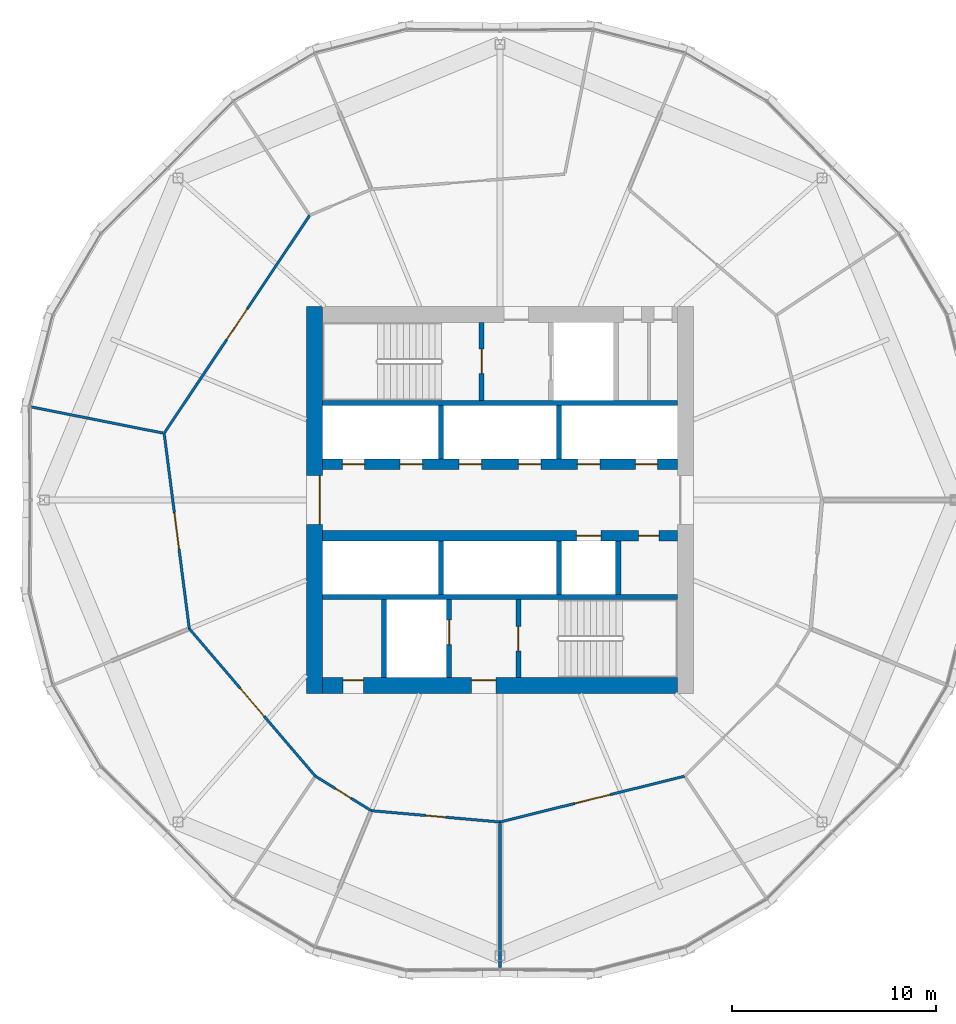
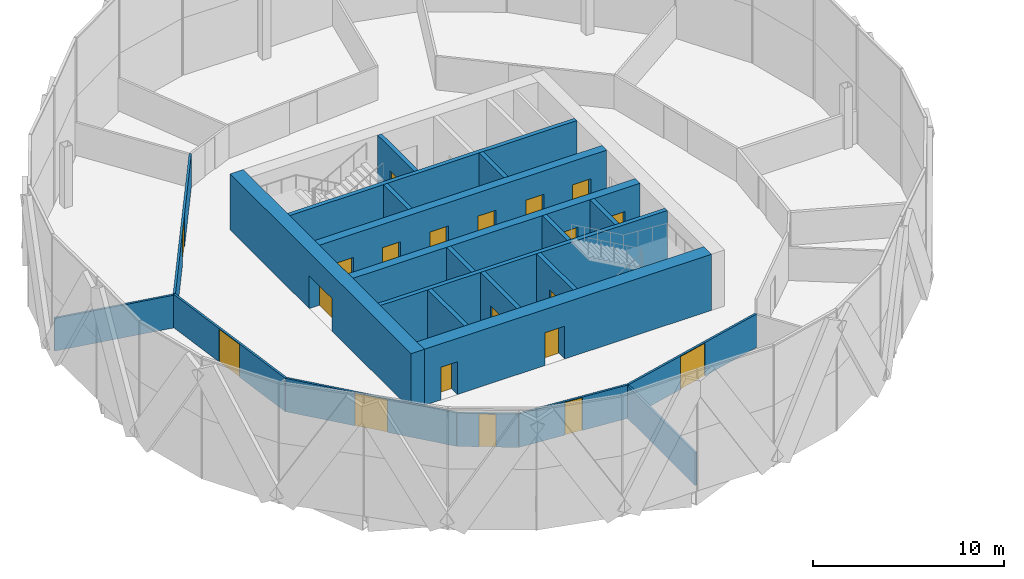
# One storey, part 19 of 27: 23 walls, 20 doors, 20 openings.
"""IFC4 building model written with IfcOpenShell, lengths in metres."""

from ifc_helpers import new_model, si_unit, direction, frame, frame_2d, origin, place, context, subcontext, project, spatial, rectangle, extrude, material, layer, layer_set, type_object, element, fill, save


model = new_model("IFC4")

# Units and contexts
model_context = context("Model", 3, precision=1e-05, world=origin(), true_north=direction((0.0, 1.0)))
body_context = subcontext(model_context, "Body", "Model", "MODEL_VIEW")
ifc_project = project(units=[si_unit("LENGTHUNIT", "METRE"), si_unit("AREAUNIT", "SQUARE_METRE"), si_unit("VOLUMEUNIT", "CUBIC_METRE"), si_unit("PLANEANGLEUNIT", "RADIAN"), si_unit("MASSUNIT", "GRAM", prefix="KILO")], contexts=[model_context])

# Site, building, storey
site_placement = place(None, origin())
site = spatial("IfcSite", under=ifc_project, at=site_placement, CompositionType="ELEMENT")
building_placement = place(site_placement, origin())
building = spatial("IfcBuilding", under=site, at=building_placement, Name="Ogive Gate Towers", CompositionType="ELEMENT")
storey_placement = place(building_placement, frame((0.0, 0.0, 123.0)))
storey = spatial("IfcBuildingStorey", under=building, at=storey_placement, Name="L29", CompositionType="ELEMENT", Elevation=123.0)

# Wall, openings, doors
ifc_material_1 = material(Name="Concrete C60/75", Category="concrete")
ifc_layer_1 = layer(ifc_material_1, 0.800048828125)
ifc_layer_set_1 = layer_set([ifc_layer_1], Name="Core wall 800 mm")
wall_type_1 = type_object("IfcWallType", Name="Core wall 800 mm", PredefinedType="SHEAR", material=ifc_layer_set_1)
wall_1_placement = place(storey_placement, frame((-44.699951171875, -9.10009765625, 0.0), z_axis=(0.0, 0.0, 1.0), x_axis=(1.0, 0.0, 0.0)))
wall_1 = element("IfcWall", 1, at=wall_1_placement, inside=storey, type_object=wall_type_1, Name="T1 L29 Core wall 800 mm", PredefinedType="SHEAR", context=body_context, shape_type="SweptSolid", body=[
    extrude(rectangle(XDim=17.39990234375, YDim=0.800048828125, at=frame_2d((8.699951171875, 0.0))), origin(), (0.0, 0.0, 1.0), 3.60009765625),
])
opening_1_placement = place(wall_1_placement, frame((7.300048828125, 0.0, 0.0)))
opening_1 = element("IfcOpeningElement", 2, at=opening_1_placement, cuts=wall_1, Name="Opening KD-T1-L29-16", PredefinedType="OPENING", context=body_context, shape_type="SweptSolid", body=[
    extrude(rectangle(XDim=1.199951171875, YDim=2.10009765625, at=frame_2d((0.60009765625, 1.050048828125))), frame((0.0, 0.41015625, 0.0), z_axis=(0.0, -1.0, 0.0), x_axis=(1.0, 0.0, 0.0)), (0.0, 0.0, 1.0), 0.820068359375),
])
opening_2_placement = place(wall_1_placement, frame((1.0, 0.0, 0.0)))
opening_2 = element("IfcOpeningElement", 3, at=opening_2_placement, cuts=wall_1, Name="Opening KD-T1-L29-19", PredefinedType="OPENING", context=body_context, shape_type="SweptSolid", body=[
    extrude(rectangle(XDim=1.0, YDim=2.10009765625, at=frame_2d((0.5, 1.050048828125))), frame((0.0, 0.41015625, 0.0), z_axis=(0.0, -1.0, 0.0), x_axis=(1.0, 0.0, 0.0)), (0.0, 0.0, 1.0), 0.820068359375),
])
ifc_material_2 = material(Name="Timber door", Category="wood")
door_type_1 = type_object("IfcDoorType", Name="Accessible WC door 1000 x 2100", OperationType="NOTDEFINED", PredefinedType="DOOR", material=ifc_material_2)
door_1_placement = place(opening_2_placement, origin())
door_1 = element("IfcDoor", 4, at=door_1_placement, inside=storey, type_object=door_type_1, Name="T1 L29 Core door", OperationType="SINGLE_SWING_RIGHT", OverallHeight=2.10009765625, OverallWidth=1.0, PredefinedType="DOOR", context=body_context, shape_type="SweptSolid", body=[
    extrude(rectangle(XDim=1.0, YDim=2.10009765625, at=frame_2d((0.5, 1.050048828125))), frame((0.0, 0.27490234375, 0.0), z_axis=(0.0, -1.0, 0.0), x_axis=(1.0, 0.0, 0.0)), (0.0, 0.0, 1.0), 0.050048828125),
])
fill(opening_2, door_1)
ifc_material_3 = material(Name="Steel fire door", Category="steel")
door_type_2 = type_object("IfcDoorType", Name="Core door FD60S 1200 x 2100", OperationType="NOTDEFINED", PredefinedType="DOOR", material=ifc_material_3)
door_2_placement = place(opening_1_placement, origin())
door_2 = element("IfcDoor", 5, at=door_2_placement, inside=storey, type_object=door_type_2, Name="T1 L29 Fire-fighting lobby door", OperationType="SINGLE_SWING_LEFT", OverallHeight=2.10009765625, OverallWidth=1.199951171875, PredefinedType="DOOR", context=body_context, shape_type="SweptSolid", body=[
    extrude(rectangle(XDim=1.199951171875, YDim=2.10009765625, at=frame_2d((0.60009765625, 1.050048828125))), frame((0.0, 0.27490234375, 0.0), z_axis=(0.0, -1.0, 0.0), x_axis=(1.0, 0.0, 0.0)), (0.0, 0.0, 1.0), 0.050048828125),
])
fill(opening_1, door_2)

# Wall, opening, door
wall_2_placement = place(storey_placement, frame((-45.10009765625, -9.5, 0.0), z_axis=(0.0, 0.0, 1.0), x_axis=(0.0, 1.0, 0.0)))
wall_2 = element("IfcWall", 6, at=wall_2_placement, inside=storey, type_object=wall_type_1, Name="T1 L29 Core wall 800 mm", PredefinedType="SHEAR", context=body_context, shape_type="SweptSolid", body=[
    extrude(rectangle(XDim=19.0, YDim=0.800048828125, at=frame_2d((9.5, 0.0))), origin(), (0.0, 0.0, 1.0), 3.60009765625),
])
opening_3_placement = place(wall_2_placement, frame((8.300048828125, 0.0, 0.0)))
opening_3 = element("IfcOpeningElement", 7, at=opening_3_placement, cuts=wall_2, Name="Opening KD-T1-L29-01", PredefinedType="OPENING", context=body_context, shape_type="SweptSolid", body=[
    extrude(rectangle(XDim=2.39990234375, YDim=2.10009765625, at=frame_2d((1.199951171875, 1.050048828125))), frame((0.0, 0.41015625, 0.0), z_axis=(0.0, -1.0, 0.0), x_axis=(1.0, 0.0, 0.0)), (0.0, 0.0, 1.0), 0.820068359375),
])
door_type_3 = type_object("IfcDoorType", Name="Core double door FD60S 2400 x 2100", OperationType="DOUBLE_DOOR_SINGLE_SWING", PredefinedType="DOOR", material=ifc_material_3)
door_3_placement = place(opening_3_placement, origin())
door_3 = element("IfcDoor", 8, at=door_3_placement, inside=storey, type_object=door_type_3, Name="T1 L29 Core door double", OperationType="DOUBLE_DOOR_SINGLE_SWING", OverallHeight=2.10009765625, OverallWidth=2.39990234375, PredefinedType="DOOR", context=body_context, shape_type="SweptSolid", body=[
    extrude(rectangle(XDim=2.39990234375, YDim=2.10009765625, at=frame_2d((1.199951171875, 1.050048828125))), frame((0.0, -0.22509765625, 0.0), z_axis=(0.0, -1.0, 0.0), x_axis=(1.0, 0.0, 0.0)), (0.0, 0.0, 1.0), 0.050048828125),
])
fill(opening_3, door_3)

# Walls
ifc_material_4 = material(Name="Gypsum board partition")
ifc_layer_2 = layer(ifc_material_4, 0.125)
ifc_layer_set_2 = layer_set([ifc_layer_2], Name="Partition 125")
wall_type_2 = type_object("IfcWallType", Name="Partition 125", PredefinedType="PARTITIONING", material=ifc_layer_set_2)
wall_3_placement = place(storey_placement, frame((-59.00048828125, 4.5673828125, 0.0), z_axis=(0.0, 0.0, 1.0), x_axis=(0.980844954996, -0.194790077416, 0.0)))
element("IfcWall", 9, at=wall_3_placement, inside=storey, type_object=wall_type_2, Name="Partition T1-L29-007", PredefinedType="PARTITIONING", context=body_context, shape_type="SweptSolid", body=[
    extrude(rectangle(XDim=6.58642578125, YDim=0.125, at=frame_2d((3.293212890625, 0.0))), origin(), (0.0, 0.0, 1.0), 2.10009765625),
])
wall_4_placement = place(storey_placement, frame((-36.0, -22.948974609375, 0.0), z_axis=(0.0, 0.0, 1.0), x_axis=(0.0, 1.0, 0.0)))
element("IfcWall", 10, at=wall_4_placement, inside=storey, type_object=wall_type_2, Name="Partition T1-L29-011", PredefinedType="PARTITIONING", context=body_context, shape_type="SweptSolid", body=[
    extrude(rectangle(XDim=7.08642578125, YDim=0.125, at=frame_2d((3.543212890625, 0.0))), origin(), (0.0, 0.0, 1.0), 2.10009765625),
])

# Wall, opening, door
wall_5_placement = place(storey_placement, frame((-45.33837890625, 13.966064453125, 0.0), z_axis=(0.0, 0.0, 1.0), x_axis=(-0.555313451399, -0.831641130955, 0.0)))
wall_5 = element("IfcWall", 11, at=wall_5_placement, inside=storey, type_object=wall_type_2, Name="Partition T1-L29-017", PredefinedType="PARTITIONING", context=body_context, shape_type="SweptSolid", body=[
    extrude(rectangle(XDim=12.858642578125, YDim=0.125, at=frame_2d((6.42919921875, 0.0))), origin(), (0.0, 0.0, 1.0), 2.139892578125),
])
opening_4_placement = place(wall_5_placement, frame((5.529052734375, 0.0, 0.0)))
opening_4 = element("IfcOpeningElement", 12, at=opening_4_placement, cuts=wall_5, Name="Opening T1-L29-D03", PredefinedType="OPENING", context=body_context, shape_type="SweptSolid", body=[
    extrude(rectangle(XDim=1.800048828125, YDim=2.10009765625, at=frame_2d((0.89990234375, 1.050048828125))), frame((0.0, 0.072509765625, 0.0), z_axis=(0.0, -1.0, 0.0), x_axis=(1.0, 0.0, 0.0)), (0.0, 0.0, 1.0), 0.14501953125),
])
door_type_4 = type_object("IfcDoorType", Name="Door pair 1800", OperationType="NOTDEFINED", PredefinedType="DOOR", material=ifc_material_2)
door_4_placement = place(opening_4_placement, origin())
door_4 = element("IfcDoor", 13, at=door_4_placement, inside=storey, type_object=door_type_4, Name="Door T1-L29-D03", OperationType="DOUBLE_DOOR_DOUBLE_SWING", OverallHeight=2.10009765625, OverallWidth=1.800048828125, PredefinedType="DOOR", context=body_context, shape_type="SweptSolid", body=[
    extrude(rectangle(XDim=1.800048828125, YDim=2.10009765625, at=frame_2d((0.89990234375, 1.050048828125))), frame((0.0, 0.02490234375, 0.0), z_axis=(0.0, -1.0, 0.0), x_axis=(1.0, 0.0, 0.0)), (0.0, 0.0, 1.0), 0.050048828125),
])
fill(opening_4, door_4)

wall_6_placement = place(storey_placement, frame((-52.47900390625, 3.272216796875, 0.0), z_axis=(0.0, 0.0, 1.0), x_axis=(0.127652365424, -0.991818972193, 0.0)))
wall_6 = element("IfcWall", 14, at=wall_6_placement, inside=storey, type_object=wall_type_2, Name="Partition T1-L29-018", PredefinedType="PARTITIONING", context=body_context, shape_type="SweptSolid", body=[
    extrude(rectangle(XDim=9.666015625, YDim=0.125, at=frame_2d((4.8330078125, 0.0))), origin(), (0.0, 0.0, 1.0), 2.139892578125),
])
opening_5_placement = place(wall_6_placement, frame((3.93310546875, 0.0, 0.0)))
opening_5 = element("IfcOpeningElement", 15, at=opening_5_placement, cuts=wall_6, Name="Opening T1-L29-D04", PredefinedType="OPENING", context=body_context, shape_type="SweptSolid", body=[
    extrude(rectangle(XDim=1.800048828125, YDim=2.10009765625, at=frame_2d((0.89990234375, 1.050048828125))), frame((0.0, 0.072509765625, 0.0), z_axis=(0.0, -1.0, 0.0), x_axis=(1.0, 0.0, 0.0)), (0.0, 0.0, 1.0), 0.14501953125),
])
door_5_placement = place(opening_5_placement, origin())
door_5 = element("IfcDoor", 16, at=door_5_placement, inside=storey, type_object=door_type_4, Name="Door T1-L29-D04", OperationType="DOUBLE_DOOR_DOUBLE_SWING", OverallHeight=2.10009765625, OverallWidth=1.800048828125, PredefinedType="DOOR", context=body_context, shape_type="SweptSolid", body=[
    extrude(rectangle(XDim=1.800048828125, YDim=2.10009765625, at=frame_2d((0.89990234375, 1.050048828125))), frame((0.0, 0.02490234375, 0.0), z_axis=(0.0, -1.0, 0.0), x_axis=(1.0, 0.0, 0.0)), (0.0, 0.0, 1.0), 0.050048828125),
])
fill(opening_5, door_5)

wall_7_placement = place(storey_placement, frame((-51.2451171875, -6.314697265625, 0.0), z_axis=(0.0, 0.0, 1.0), x_axis=(0.649726172802, -0.760168336867, 0.0)))
wall_7 = element("IfcWall", 17, at=wall_7_placement, inside=storey, type_object=wall_type_2, Name="Partition T1-L29-019", PredefinedType="PARTITIONING", context=body_context, shape_type="SweptSolid", body=[
    extrude(rectangle(XDim=9.518798828125, YDim=0.125, at=frame_2d((4.75927734375, 0.0))), origin(), (0.0, 0.0, 1.0), 2.139892578125),
])
opening_6_placement = place(wall_7_placement, frame((3.85888671875, 0.0, 0.0)))
opening_6 = element("IfcOpeningElement", 18, at=opening_6_placement, cuts=wall_7, Name="Opening T1-L29-D05", PredefinedType="OPENING", context=body_context, shape_type="SweptSolid", body=[
    extrude(rectangle(XDim=1.800048828125, YDim=2.10009765625, at=frame_2d((0.89990234375, 1.050048828125))), frame((0.0, 0.072509765625, 0.0), z_axis=(0.0, -1.0, 0.0), x_axis=(1.0, 0.0, 0.0)), (0.0, 0.0, 1.0), 0.14501953125),
])
door_6_placement = place(opening_6_placement, origin())
door_6 = element("IfcDoor", 19, at=door_6_placement, inside=storey, type_object=door_type_4, Name="Door T1-L29-D05", OperationType="DOUBLE_DOOR_DOUBLE_SWING", OverallHeight=2.10009765625, OverallWidth=1.800048828125, PredefinedType="DOOR", context=body_context, shape_type="SweptSolid", body=[
    extrude(rectangle(XDim=1.800048828125, YDim=2.10009765625, at=frame_2d((0.89990234375, 1.050048828125))), frame((0.0, 0.02490234375, 0.0), z_axis=(0.0, -1.0, 0.0), x_axis=(1.0, 0.0, 0.0)), (0.0, 0.0, 1.0), 0.050048828125),
])
fill(opening_6, door_6)

wall_8_placement = place(storey_placement, frame((-45.060546875, -13.550537109375, 0.0), z_axis=(0.0, 0.0, 1.0), x_axis=(0.850989966288, -0.525181946831, 0.0)))
wall_8 = element("IfcWall", 20, at=wall_8_placement, inside=storey, type_object=wall_type_2, Name="Partition T1-L29-020", PredefinedType="PARTITIONING", context=body_context, shape_type="SweptSolid", body=[
    extrude(rectangle(XDim=3.2265625, YDim=0.125, at=frame_2d((1.61328125, 0.0))), origin(), (0.0, 0.0, 1.0), 2.139892578125),
])
opening_7_placement = place(wall_8_placement, frame((1.1630859375, 0.0, 0.0)))
opening_7 = element("IfcOpeningElement", 21, at=opening_7_placement, cuts=wall_8, Name="Opening T1-L29-D06", PredefinedType="OPENING", context=body_context, shape_type="SweptSolid", body=[
    extrude(rectangle(XDim=0.89990234375, YDim=2.10009765625, at=frame_2d((0.449951171875, 1.050048828125))), frame((0.0, 0.072509765625, 0.0), z_axis=(0.0, -1.0, 0.0), x_axis=(1.0, 0.0, 0.0)), (0.0, 0.0, 1.0), 0.14501953125),
])
door_type_5 = type_object("IfcDoorType", Name="Door 900", OperationType="NOTDEFINED", PredefinedType="DOOR", material=ifc_material_2)
door_7_placement = place(opening_7_placement, origin())
door_7 = element("IfcDoor", 22, at=door_7_placement, inside=storey, type_object=door_type_5, Name="Door T1-L29-D06", OperationType="SINGLE_SWING_LEFT", OverallHeight=2.10009765625, OverallWidth=0.89990234375, PredefinedType="DOOR", context=body_context, shape_type="SweptSolid", body=[
    extrude(rectangle(XDim=0.89990234375, YDim=2.10009765625, at=frame_2d((0.449951171875, 1.050048828125))), frame((0.0, 0.02490234375, 0.0), z_axis=(0.0, -1.0, 0.0), x_axis=(1.0, 0.0, 0.0)), (0.0, 0.0, 1.0), 0.050048828125),
])
fill(opening_7, door_7)

wall_9_placement = place(storey_placement, frame((-42.314697265625, -15.2451171875, 0.0), z_axis=(0.0, 0.0, 1.0), x_axis=(0.996160830395, -0.087541989851, 0.0)))
wall_9 = element("IfcWall", 23, at=wall_9_placement, inside=storey, type_object=wall_type_2, Name="Partition T1-L29-021", PredefinedType="PARTITIONING", context=body_context, shape_type="SweptSolid", body=[
    extrude(rectangle(XDim=6.339111328125, YDim=0.125, at=frame_2d((3.16943359375, 0.0))), origin(), (0.0, 0.0, 1.0), 2.139892578125),
])
opening_8_placement = place(wall_9_placement, frame((2.6689453125, 0.0, 0.0)))
opening_8 = element("IfcOpeningElement", 24, at=opening_8_placement, cuts=wall_9, Name="Opening T1-L29-D07", PredefinedType="OPENING", context=body_context, shape_type="SweptSolid", body=[
    extrude(rectangle(XDim=1.0, YDim=2.10009765625, at=frame_2d((0.5, 1.050048828125))), frame((0.0, 0.072509765625, 0.0), z_axis=(0.0, -1.0, 0.0), x_axis=(1.0, 0.0, 0.0)), (0.0, 0.0, 1.0), 0.14501953125),
])
door_type_6 = type_object("IfcDoorType", Name="Door 1000", OperationType="NOTDEFINED", PredefinedType="DOOR", material=ifc_material_2)
door_8_placement = place(opening_8_placement, origin())
door_8 = element("IfcDoor", 25, at=door_8_placement, inside=storey, type_object=door_type_6, Name="Door T1-L29-D07", OperationType="SINGLE_SWING_RIGHT", OverallHeight=2.10009765625, OverallWidth=1.0, PredefinedType="DOOR", context=body_context, shape_type="SweptSolid", body=[
    extrude(rectangle(XDim=1.0, YDim=2.10009765625, at=frame_2d((0.5, 1.050048828125))), frame((0.0, 0.02490234375, 0.0), z_axis=(0.0, -1.0, 0.0), x_axis=(1.0, 0.0, 0.0)), (0.0, 0.0, 1.0), 0.050048828125),
])
fill(opening_8, door_8)

wall_10_placement = place(storey_placement, frame((-36.0, -15.800048828125, 0.0), z_axis=(0.0, 0.0, 1.0), x_axis=(0.970535032316, 0.240960061106, 0.0)))
wall_10 = element("IfcWall", 26, at=wall_10_placement, inside=storey, type_object=wall_type_2, Name="Partition T1-L29-022", PredefinedType="PARTITIONING", context=body_context, shape_type="SweptSolid", body=[
    extrude(rectangle(XDim=9.335693359375, YDim=0.125, at=frame_2d((4.66796875, 0.0))), origin(), (0.0, 0.0, 1.0), 2.139892578125),
])
opening_9_placement = place(wall_10_placement, frame((3.76806640625, 0.0, 0.0)))
opening_9 = element("IfcOpeningElement", 27, at=opening_9_placement, cuts=wall_10, Name="Opening T1-L29-D08", PredefinedType="OPENING", context=body_context, shape_type="SweptSolid", body=[
    extrude(rectangle(XDim=1.800048828125, YDim=2.10009765625, at=frame_2d((0.89990234375, 1.050048828125))), frame((0.0, 0.072509765625, 0.0), z_axis=(0.0, -1.0, 0.0), x_axis=(1.0, 0.0, 0.0)), (0.0, 0.0, 1.0), 0.14501953125),
])
door_9_placement = place(opening_9_placement, origin())
door_9 = element("IfcDoor", 28, at=door_9_placement, inside=storey, type_object=door_type_4, Name="Door T1-L29-D08", OperationType="DOUBLE_DOOR_DOUBLE_SWING", OverallHeight=2.10009765625, OverallWidth=1.800048828125, PredefinedType="DOOR", context=body_context, shape_type="SweptSolid", body=[
    extrude(rectangle(XDim=1.800048828125, YDim=2.10009765625, at=frame_2d((0.89990234375, 1.050048828125))), frame((0.0, 0.02490234375, 0.0), z_axis=(0.0, -1.0, 0.0), x_axis=(1.0, 0.0, 0.0)), (0.0, 0.0, 1.0), 0.050048828125),
])
fill(opening_9, door_9)

# Walls
ifc_layer_3 = layer(ifc_material_1, 0.25)
ifc_layer_set_3 = layer_set([ifc_layer_3], Name="Shaft wall 250 mm")
wall_type_3 = type_object("IfcWallType", Name="Shaft wall 250 mm", PredefinedType="SHEAR", material=ifc_layer_set_3)
for number, where, z_axis, x_axis, name in (
    (29, (-44.699951171875, -4.75, 0.0), (0.0, 0.0, 1.0), (1.0, 0.0, 0.0), "T1 L29 Shaft wall 250 mm"),
    (30, (-44.699951171875, 4.75, 0.0), (0.0, 0.0, 1.0), (1.0, 0.0, 0.0), "T1 L29 Shaft wall 250 mm"),
):
    element("IfcWall", number, at=place(storey_placement, frame(where, z_axis=z_axis, x_axis=x_axis)), inside=storey, type_object=wall_type_3, Name=name, PredefinedType="SHEAR", context=body_context, shape_type="SweptSolid", body=[
        extrude(rectangle(XDim=17.39990234375, YDim=0.25, at=frame_2d((8.699951171875, 0.0))), origin(), (0.0, 0.0, 1.0), 3.60009765625),
    ])
wall_11_placement = place(storey_placement, frame((-41.699951171875, -8.699951171875, 0.0), z_axis=(0.0, 0.0, 1.0), x_axis=(0.0, 1.0, 0.0)))
element("IfcWall", 31, at=wall_11_placement, inside=storey, type_object=wall_type_3, Name="T1 L29 Shaft wall 250 mm", PredefinedType="SHEAR", context=body_context, shape_type="SweptSolid", body=[
    extrude(rectangle(XDim=3.824951171875, YDim=0.25, at=frame_2d((1.91259765625, 0.0))), origin(), (0.0, 0.0, 1.0), 3.60009765625),
])
for number, where, z_axis, x_axis, name in (
    (32, (-38.89990234375, -4.625, 0.0), (0.0, 0.0, 1.0), (0.0, 1.0, 0.0), "T1 L29 Shaft wall 250 mm"),
    (33, (-38.89990234375, 2.0, 0.0), (0.0, 0.0, 1.0), (0.0, 1.0, 0.0), "T1 L29 Shaft wall 250 mm"),
):
    element("IfcWall", number, at=place(storey_placement, frame(where, z_axis=z_axis, x_axis=x_axis)), inside=storey, type_object=wall_type_3, Name=name, PredefinedType="SHEAR", context=body_context, shape_type="SweptSolid", body=[
        extrude(rectangle(XDim=2.625, YDim=0.25, at=frame_2d((1.3125, 0.0))), origin(), (0.0, 0.0, 1.0), 3.60009765625),
    ])

# Wall, opening, door
wall_12_placement = place(storey_placement, frame((-38.5, -8.699951171875, 0.0), z_axis=(0.0, 0.0, 1.0), x_axis=(0.0, 1.0, 0.0)))
wall_12 = element("IfcWall", 34, at=wall_12_placement, inside=storey, type_object=wall_type_3, Name="T1 L29 Shaft wall 250 mm", PredefinedType="SHEAR", context=body_context, shape_type="SweptSolid", body=[
    extrude(rectangle(XDim=3.824951171875, YDim=0.25, at=frame_2d((1.91259765625, 0.0))), origin(), (0.0, 0.0, 1.0), 3.60009765625),
])
opening_10_placement = place(wall_12_placement, frame((1.60009765625, 0.0, 0.0)))
opening_10 = element("IfcOpeningElement", 35, at=opening_10_placement, cuts=wall_12, Name="Opening LD-T1-L29-11", PredefinedType="OPENING", context=body_context, shape_type="SweptSolid", body=[
    extrude(rectangle(XDim=1.199951171875, YDim=2.10009765625, at=frame_2d((0.60009765625, 1.050048828125))), frame((0.0, 0.135009765625, 0.0), z_axis=(0.0, -1.0, 0.0), x_axis=(1.0, 0.0, 0.0)), (0.0, 0.0, 1.0), 0.27001953125),
])
ifc_material_5 = material(Name="Stainless steel landing door", Category="steel")
door_type_7 = type_object("IfcDoorType", Name="Landing door 1200 x 2100", OperationType="SLIDING_TO_LEFT", PredefinedType="DOOR", material=ifc_material_5)
door_10_placement = place(opening_10_placement, origin())
door_10 = element("IfcDoor", 36, at=door_10_placement, inside=storey, type_object=door_type_7, Name="T1 L29 Lift landing door FF2", OperationType="SLIDING_TO_LEFT", OverallHeight=2.10009765625, OverallWidth=1.199951171875, PredefinedType="DOOR", context=body_context, shape_type="SweptSolid", body=[
    extrude(rectangle(XDim=1.199951171875, YDim=2.10009765625, at=frame_2d((0.60009765625, 1.050048828125))), frame((0.0, 0.02490234375, 0.0), z_axis=(0.0, -1.0, 0.0), x_axis=(1.0, 0.0, 0.0)), (0.0, 0.0, 1.0), 0.050048828125),
])
fill(opening_10, door_10)

wall_13_placement = place(storey_placement, frame((-36.89990234375, 4.875, 0.0), z_axis=(0.0, 0.0, 1.0), x_axis=(0.0, 1.0, 0.0)))
wall_13 = element("IfcWall", 37, at=wall_13_placement, inside=storey, type_object=wall_type_3, Name="T1 L29 Shaft wall 250 mm", PredefinedType="SHEAR", context=body_context, shape_type="SweptSolid", body=[
    extrude(rectangle(XDim=3.824951171875, YDim=0.25, at=frame_2d((1.91259765625, 0.0))), origin(), (0.0, 0.0, 1.0), 3.60009765625),
])
opening_11_placement = place(wall_13_placement, frame((1.324951171875, 0.0, 0.0)))
opening_11 = element("IfcOpeningElement", 38, at=opening_11_placement, cuts=wall_13, Name="Opening KD-T1-L29-13", PredefinedType="OPENING", context=body_context, shape_type="SweptSolid", body=[
    extrude(rectangle(XDim=1.199951171875, YDim=2.10009765625, at=frame_2d((0.60009765625, 1.050048828125))), frame((0.0, 0.135009765625, 0.0), z_axis=(0.0, -1.0, 0.0), x_axis=(1.0, 0.0, 0.0)), (0.0, 0.0, 1.0), 0.27001953125),
])
door_11_placement = place(opening_11_placement, origin())
door_11 = element("IfcDoor", 39, at=door_11_placement, inside=storey, type_object=door_type_2, Name="T1 L29 Stair door", OperationType="SINGLE_SWING_RIGHT", OverallHeight=2.10009765625, OverallWidth=1.199951171875, PredefinedType="DOOR", context=body_context, shape_type="SweptSolid", body=[
    extrude(rectangle(XDim=1.199951171875, YDim=2.10009765625, at=frame_2d((0.60009765625, 1.050048828125))), frame((0.0, 0.02490234375, 0.0), z_axis=(0.0, -1.0, 0.0), x_axis=(1.0, 0.0, 0.0)), (0.0, 0.0, 1.0), 0.050048828125),
])
fill(opening_11, door_11)

wall_14_placement = place(storey_placement, frame((-35.10009765625, -8.699951171875, 0.0), z_axis=(0.0, 0.0, 1.0), x_axis=(0.0, 1.0, 0.0)))
wall_14 = element("IfcWall", 40, at=wall_14_placement, inside=storey, type_object=wall_type_3, Name="T1 L29 Shaft wall 250 mm", PredefinedType="SHEAR", context=body_context, shape_type="SweptSolid", body=[
    extrude(rectangle(XDim=3.824951171875, YDim=0.25, at=frame_2d((1.91259765625, 0.0))), origin(), (0.0, 0.0, 1.0), 3.60009765625),
])
opening_12_placement = place(wall_14_placement, frame((1.300048828125, 0.0, 0.0)))
opening_12 = element("IfcOpeningElement", 41, at=opening_12_placement, cuts=wall_14, Name="Opening KD-T1-L29-14", PredefinedType="OPENING", context=body_context, shape_type="SweptSolid", body=[
    extrude(rectangle(XDim=1.199951171875, YDim=2.10009765625, at=frame_2d((0.60009765625, 1.050048828125))), frame((0.0, 0.135009765625, 0.0), z_axis=(0.0, -1.0, 0.0), x_axis=(1.0, 0.0, 0.0)), (0.0, 0.0, 1.0), 0.27001953125),
])
door_12_placement = place(opening_12_placement, origin())
door_12 = element("IfcDoor", 42, at=door_12_placement, inside=storey, type_object=door_type_2, Name="T1 L29 Stair door", OperationType="SINGLE_SWING_LEFT", OverallHeight=2.10009765625, OverallWidth=1.199951171875, PredefinedType="DOOR", context=body_context, shape_type="SweptSolid", body=[
    extrude(rectangle(XDim=1.199951171875, YDim=2.10009765625, at=frame_2d((0.60009765625, 1.050048828125))), frame((0.0, 0.02490234375, 0.0), z_axis=(0.0, -1.0, 0.0), x_axis=(1.0, 0.0, 0.0)), (0.0, 0.0, 1.0), 0.050048828125),
])
fill(opening_12, door_12)

# Walls
for number, where, z_axis, x_axis, name in (
    (43, (-33.10009765625, -4.625, 0.0), (0.0, 0.0, 1.0), (0.0, 1.0, 0.0), "T1 L29 Shaft wall 250 mm"),
    (44, (-33.10009765625, 2.0, 0.0), (0.0, 0.0, 1.0), (0.0, 1.0, 0.0), "T1 L29 Shaft wall 250 mm"),
    (45, (-30.199951171875, -4.625, 0.0), (0.0, 0.0, 1.0), (0.0, 1.0, 0.0), "T1 L29 Shaft wall 250 mm"),
):
    element("IfcWall", number, at=place(storey_placement, frame(where, z_axis=z_axis, x_axis=x_axis)), inside=storey, type_object=wall_type_3, Name=name, PredefinedType="SHEAR", context=body_context, shape_type="SweptSolid", body=[
        extrude(rectangle(XDim=2.625, YDim=0.25, at=frame_2d((1.3125, 0.0))), origin(), (0.0, 0.0, 1.0), 3.60009765625),
    ])

# Wall, openings, doors
ifc_layer_4 = layer(ifc_material_1, 0.5)
ifc_layer_set_4 = layer_set([ifc_layer_4], Name="Spine wall 500 mm")
wall_type_4 = type_object("IfcWallType", Name="Spine wall 500 mm", PredefinedType="SHEAR", material=ifc_layer_set_4)
wall_15_placement = place(storey_placement, frame((-44.699951171875, -1.75, 0.0), z_axis=(0.0, 0.0, 1.0), x_axis=(1.0, 0.0, 0.0)))
wall_15 = element("IfcWall", 46, at=wall_15_placement, inside=storey, type_object=wall_type_4, Name="T1 L29 Spine wall 500 mm", PredefinedType="SHEAR", context=body_context, shape_type="SweptSolid", body=[
    extrude(rectangle(XDim=17.39990234375, YDim=0.5, at=frame_2d((8.699951171875, 0.0))), origin(), (0.0, 0.0, 1.0), 3.60009765625),
])
opening_13_placement = place(wall_15_placement, frame((12.449951171875, 0.0, 0.0)))
opening_13 = element("IfcOpeningElement", 47, at=opening_13_placement, cuts=wall_15, Name="Opening LD-T1-L29-09", PredefinedType="OPENING", context=body_context, shape_type="SweptSolid", body=[
    extrude(rectangle(XDim=1.199951171875, YDim=2.10009765625, at=frame_2d((0.60009765625, 1.050048828125))), frame((0.0, 0.260009765625, 0.0), z_axis=(0.0, -1.0, 0.0), x_axis=(1.0, 0.0, 0.0)), (0.0, 0.0, 1.0), 0.52001953125),
])
opening_14_placement = place(wall_15_placement, frame((15.5, 0.0, 0.0)))
opening_14 = element("IfcOpeningElement", 48, at=opening_14_placement, cuts=wall_15, Name="Opening KD-T1-L29-12", PredefinedType="OPENING", context=body_context, shape_type="SweptSolid", body=[
    extrude(rectangle(XDim=1.0, YDim=2.10009765625, at=frame_2d((0.5, 1.050048828125))), frame((0.0, 0.260009765625, 0.0), z_axis=(0.0, -1.0, 0.0), x_axis=(1.0, 0.0, 0.0)), (0.0, 0.0, 1.0), 0.52001953125),
])
door_type_8 = type_object("IfcDoorType", Name="Core door FD60S 1000 x 2100", OperationType="NOTDEFINED", PredefinedType="DOOR", material=ifc_material_3)
door_13_placement = place(opening_14_placement, origin())
door_13 = element("IfcDoor", 49, at=door_13_placement, inside=storey, type_object=door_type_8, Name="T1 L29 Core door", OperationType="SINGLE_SWING_LEFT", OverallHeight=2.10009765625, OverallWidth=1.0, PredefinedType="DOOR", context=body_context, shape_type="SweptSolid", body=[
    extrude(rectangle(XDim=1.0, YDim=2.10009765625, at=frame_2d((0.5, 1.050048828125))), frame((0.0, 0.02490234375, 0.0), z_axis=(0.0, -1.0, 0.0), x_axis=(1.0, 0.0, 0.0)), (0.0, 0.0, 1.0), 0.050048828125),
])
fill(opening_14, door_13)
door_14_placement = place(opening_13_placement, origin())
door_14 = element("IfcDoor", 50, at=door_14_placement, inside=storey, type_object=door_type_7, Name="T1 L29 Lift landing door SVC", OperationType="SLIDING_TO_LEFT", OverallHeight=2.10009765625, OverallWidth=1.199951171875, PredefinedType="DOOR", context=body_context, shape_type="SweptSolid", body=[
    extrude(rectangle(XDim=1.199951171875, YDim=2.10009765625, at=frame_2d((0.60009765625, 1.050048828125))), frame((0.0, 0.02490234375, 0.0), z_axis=(0.0, -1.0, 0.0), x_axis=(1.0, 0.0, 0.0)), (0.0, 0.0, 1.0), 0.050048828125),
])
fill(opening_13, door_14)

wall_16_placement = place(storey_placement, frame((-44.699951171875, 1.75, 0.0), z_axis=(0.0, 0.0, 1.0), x_axis=(1.0, 0.0, 0.0)))
wall_16 = element("IfcWall", 51, at=wall_16_placement, inside=storey, type_object=wall_type_4, Name="T1 L29 Spine wall 500 mm", PredefinedType="SHEAR", context=body_context, shape_type="SweptSolid", body=[
    extrude(rectangle(XDim=17.39990234375, YDim=0.5, at=frame_2d((8.699951171875, 0.0))), origin(), (0.0, 0.0, 1.0), 3.60009765625),
])
opening_15_placement = place(wall_16_placement, frame((0.96240234375, 0.0, 0.0)))
opening_15 = element("IfcOpeningElement", 52, at=opening_15_placement, cuts=wall_16, Name="Opening LD-T1-L29-03", PredefinedType="OPENING", context=body_context, shape_type="SweptSolid", body=[
    extrude(rectangle(XDim=1.10009765625, YDim=2.10009765625, at=frame_2d((0.550048828125, 1.050048828125))), frame((0.0, 0.260009765625, 0.0), z_axis=(0.0, -1.0, 0.0), x_axis=(1.0, 0.0, 0.0)), (0.0, 0.0, 1.0), 0.52001953125),
])
opening_16_placement = place(wall_16_placement, frame((3.800048828125, 0.0, 0.0)))
opening_16 = element("IfcOpeningElement", 53, at=opening_16_placement, cuts=wall_16, Name="Opening LD-T1-L29-04", PredefinedType="OPENING", context=body_context, shape_type="SweptSolid", body=[
    extrude(rectangle(XDim=1.10009765625, YDim=2.10009765625, at=frame_2d((0.550048828125, 1.050048828125))), frame((0.0, 0.260009765625, 0.0), z_axis=(0.0, -1.0, 0.0), x_axis=(1.0, 0.0, 0.0)), (0.0, 0.0, 1.0), 0.52001953125),
])
opening_17_placement = place(wall_16_placement, frame((6.699951171875, 0.0, 0.0)))
opening_17 = element("IfcOpeningElement", 54, at=opening_17_placement, cuts=wall_16, Name="Opening LD-T1-L29-05", PredefinedType="OPENING", context=body_context, shape_type="SweptSolid", body=[
    extrude(rectangle(XDim=1.10009765625, YDim=2.10009765625, at=frame_2d((0.550048828125, 1.050048828125))), frame((0.0, 0.260009765625, 0.0), z_axis=(0.0, -1.0, 0.0), x_axis=(1.0, 0.0, 0.0)), (0.0, 0.0, 1.0), 0.52001953125),
])
opening_18_placement = place(wall_16_placement, frame((9.60009765625, 0.0, 0.0)))
opening_18 = element("IfcOpeningElement", 55, at=opening_18_placement, cuts=wall_16, Name="Opening LD-T1-L29-06", PredefinedType="OPENING", context=body_context, shape_type="SweptSolid", body=[
    extrude(rectangle(XDim=1.10009765625, YDim=2.10009765625, at=frame_2d((0.550048828125, 1.050048828125))), frame((0.0, 0.260009765625, 0.0), z_axis=(0.0, -1.0, 0.0), x_axis=(1.0, 0.0, 0.0)), (0.0, 0.0, 1.0), 0.52001953125),
])
opening_19_placement = place(wall_16_placement, frame((12.5, 0.0, 0.0)))
opening_19 = element("IfcOpeningElement", 56, at=opening_19_placement, cuts=wall_16, Name="Opening LD-T1-L29-07", PredefinedType="OPENING", context=body_context, shape_type="SweptSolid", body=[
    extrude(rectangle(XDim=1.10009765625, YDim=2.10009765625, at=frame_2d((0.550048828125, 1.050048828125))), frame((0.0, 0.260009765625, 0.0), z_axis=(0.0, -1.0, 0.0), x_axis=(1.0, 0.0, 0.0)), (0.0, 0.0, 1.0), 0.52001953125),
])
opening_20_placement = place(wall_16_placement, frame((15.33740234375, 0.0, 0.0)))
opening_20 = element("IfcOpeningElement", 57, at=opening_20_placement, cuts=wall_16, Name="Opening LD-T1-L29-08", PredefinedType="OPENING", context=body_context, shape_type="SweptSolid", body=[
    extrude(rectangle(XDim=1.10009765625, YDim=2.10009765625, at=frame_2d((0.550048828125, 1.050048828125))), frame((0.0, 0.260009765625, 0.0), z_axis=(0.0, -1.0, 0.0), x_axis=(1.0, 0.0, 0.0)), (0.0, 0.0, 1.0), 0.52001953125),
])
door_type_9 = type_object("IfcDoorType", Name="Landing door 1100 x 2100", OperationType="SLIDING_TO_LEFT", PredefinedType="DOOR", material=ifc_material_5)
door_15_placement = place(opening_15_placement, origin())
door_15 = element("IfcDoor", 58, at=door_15_placement, inside=storey, type_object=door_type_9, Name="T1 L29 Lift landing door A1", OperationType="SLIDING_TO_LEFT", OverallHeight=2.10009765625, OverallWidth=1.10009765625, PredefinedType="DOOR", context=body_context, shape_type="SweptSolid", body=[
    extrude(rectangle(XDim=1.10009765625, YDim=2.10009765625, at=frame_2d((0.550048828125, 1.050048828125))), frame((0.0, 0.02490234375, 0.0), z_axis=(0.0, -1.0, 0.0), x_axis=(1.0, 0.0, 0.0)), (0.0, 0.0, 1.0), 0.050048828125),
])
fill(opening_15, door_15)
door_16_placement = place(opening_16_placement, origin())
door_16 = element("IfcDoor", 59, at=door_16_placement, inside=storey, type_object=door_type_9, Name="T1 L29 Lift landing door A2", OperationType="SLIDING_TO_LEFT", OverallHeight=2.10009765625, OverallWidth=1.10009765625, PredefinedType="DOOR", context=body_context, shape_type="SweptSolid", body=[
    extrude(rectangle(XDim=1.10009765625, YDim=2.10009765625, at=frame_2d((0.550048828125, 1.050048828125))), frame((0.0, 0.02490234375, 0.0), z_axis=(0.0, -1.0, 0.0), x_axis=(1.0, 0.0, 0.0)), (0.0, 0.0, 1.0), 0.050048828125),
])
fill(opening_16, door_16)
door_17_placement = place(opening_17_placement, origin())
door_17 = element("IfcDoor", 60, at=door_17_placement, inside=storey, type_object=door_type_9, Name="T1 L29 Lift landing door A3", OperationType="SLIDING_TO_LEFT", OverallHeight=2.10009765625, OverallWidth=1.10009765625, PredefinedType="DOOR", context=body_context, shape_type="SweptSolid", body=[
    extrude(rectangle(XDim=1.10009765625, YDim=2.10009765625, at=frame_2d((0.550048828125, 1.050048828125))), frame((0.0, 0.02490234375, 0.0), z_axis=(0.0, -1.0, 0.0), x_axis=(1.0, 0.0, 0.0)), (0.0, 0.0, 1.0), 0.050048828125),
])
fill(opening_17, door_17)
door_18_placement = place(opening_18_placement, origin())
door_18 = element("IfcDoor", 61, at=door_18_placement, inside=storey, type_object=door_type_9, Name="T1 L29 Lift landing door A4", OperationType="SLIDING_TO_LEFT", OverallHeight=2.10009765625, OverallWidth=1.10009765625, PredefinedType="DOOR", context=body_context, shape_type="SweptSolid", body=[
    extrude(rectangle(XDim=1.10009765625, YDim=2.10009765625, at=frame_2d((0.550048828125, 1.050048828125))), frame((0.0, 0.02490234375, 0.0), z_axis=(0.0, -1.0, 0.0), x_axis=(1.0, 0.0, 0.0)), (0.0, 0.0, 1.0), 0.050048828125),
])
fill(opening_18, door_18)
door_19_placement = place(opening_19_placement, origin())
door_19 = element("IfcDoor", 62, at=door_19_placement, inside=storey, type_object=door_type_9, Name="T1 L29 Lift landing door A5", OperationType="SLIDING_TO_LEFT", OverallHeight=2.10009765625, OverallWidth=1.10009765625, PredefinedType="DOOR", context=body_context, shape_type="SweptSolid", body=[
    extrude(rectangle(XDim=1.10009765625, YDim=2.10009765625, at=frame_2d((0.550048828125, 1.050048828125))), frame((0.0, 0.02490234375, 0.0), z_axis=(0.0, -1.0, 0.0), x_axis=(1.0, 0.0, 0.0)), (0.0, 0.0, 1.0), 0.050048828125),
])
fill(opening_19, door_19)
door_20_placement = place(opening_20_placement, origin())
door_20 = element("IfcDoor", 63, at=door_20_placement, inside=storey, type_object=door_type_9, Name="T1 L29 Lift landing door A6", OperationType="SLIDING_TO_LEFT", OverallHeight=2.10009765625, OverallWidth=1.10009765625, PredefinedType="DOOR", context=body_context, shape_type="SweptSolid", body=[
    extrude(rectangle(XDim=1.10009765625, YDim=2.10009765625, at=frame_2d((0.550048828125, 1.050048828125))), frame((0.0, 0.02490234375, 0.0), z_axis=(0.0, -1.0, 0.0), x_axis=(1.0, 0.0, 0.0)), (0.0, 0.0, 1.0), 0.050048828125),
])
fill(opening_20, door_20)

save(model, "model.ifc")
